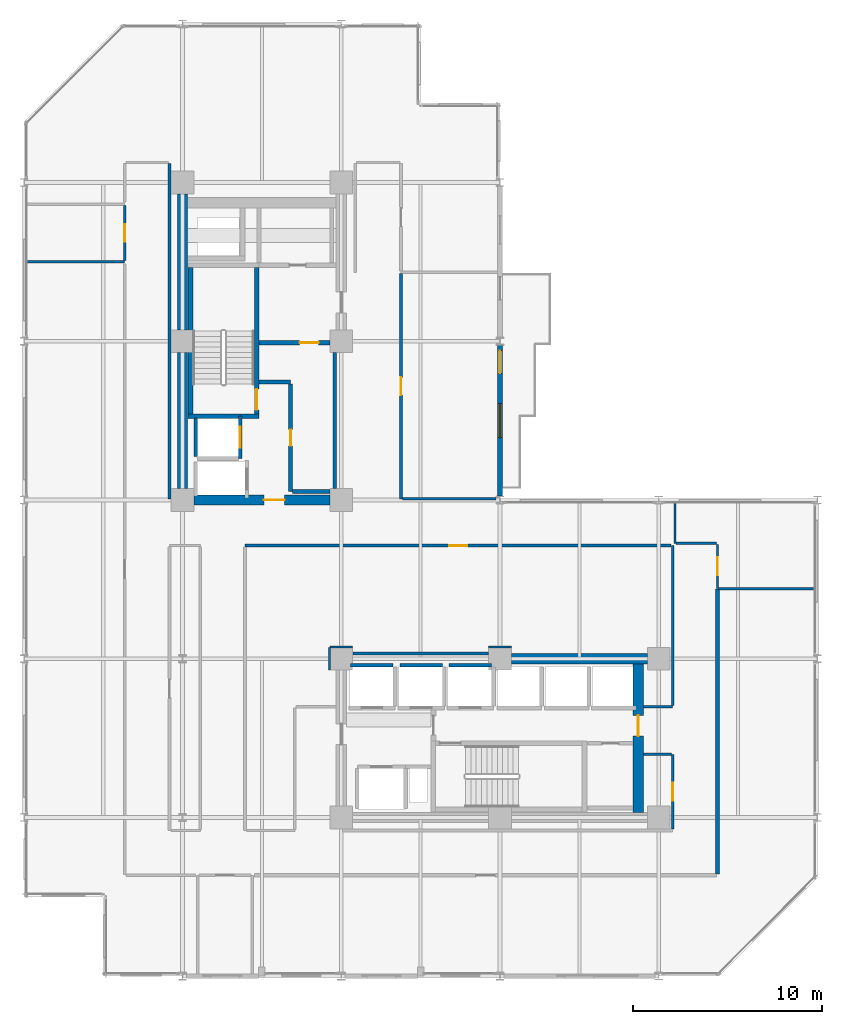
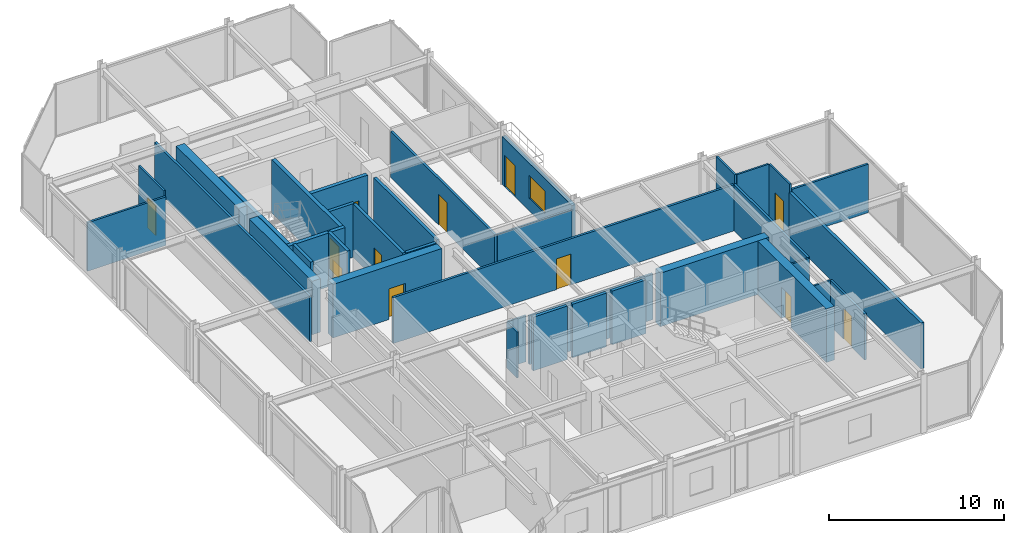
# One storey, part 25 of 29: 38 walls, 12 doors, 1 window, 13 openings.
"""IFC4 building model written with IfcOpenShell, lengths in metres."""

from ifc_helpers import new_model, si_unit, direction, frame, frame_2d, origin, place, context, subcontext, project, spatial, rectangle, extrude, material, layer, layer_set, type_object, element, fill, save


model = new_model("IFC4")

# Units and contexts
model_context = context("Model", 3, precision=1e-05, world=origin(), true_north=direction((0.0, 1.0)))
body_context = subcontext(model_context, "Body", "Model", "MODEL_VIEW")
ifc_project = project(units=[si_unit("LENGTHUNIT", "METRE"), si_unit("AREAUNIT", "SQUARE_METRE"), si_unit("VOLUMEUNIT", "CUBIC_METRE"), si_unit("PLANEANGLEUNIT", "RADIAN"), si_unit("MASSUNIT", "GRAM", prefix="KILO")], contexts=[model_context])

# Site, building, storey
site_placement = place(None, origin())
site = spatial("IfcSite", under=ifc_project, at=site_placement, CompositionType="ELEMENT")
building_placement = place(site_placement, origin())
building = spatial("IfcBuilding", under=site, at=building_placement, Name="Nerrivon Quay Data Exchange", CompositionType="ELEMENT")
storey_placement = place(building_placement, frame((0.0, 0.0, 158.199951171875)))
storey = spatial("IfcBuildingStorey", under=building, at=storey_placement, Name="L37", CompositionType="ELEMENT", Elevation=158.199951171875)

# Wall, openings, door, window
ifc_material_1 = material(Name="Architectural terracotta precast concrete N50 (50 MPa)", Category="masonry")
ifc_layer_1 = layer(ifc_material_1, 0.239990234375)
ifc_layer_set_1 = layer_set([ifc_layer_1], Name="Architectural terracotta precast concrete N50 (50 MPa)")
wall_type_1 = type_object("IfcWallType", Name="EW-PREC-240", PredefinedType="STANDARD", material=ifc_layer_set_1)
wall_1_placement = place(storey_placement, frame((25.199951171875, 33.39990234375, 0.0), z_axis=(0.0, 0.0, 1.0), x_axis=(0.0, -1.0, 0.0)))
wall_1 = element("IfcWall", 1, at=wall_1_placement, inside=storey, type_object=wall_type_1, Name="L37 Terrace Host Wall 25", PredefinedType="STANDARD", context=body_context, shape_type="SweptSolid", body=[
    extrude(rectangle(XDim=8.0, YDim=0.239990234375, at=frame_2d((4.0, 0.0))), origin(), (0.0, 0.0, 1.0), 3.34716796875),
])
opening_1_placement = place(wall_1_placement, frame((0.300048828125, 0.0, 0.0)))
opening_1 = element("IfcOpeningElement", 2, at=opening_1_placement, cuts=wall_1, Name="Opening TD1", PredefinedType="OPENING", context=body_context, shape_type="SweptSolid", body=[
    extrude(rectangle(XDim=1.199951171875, YDim=2.199951171875, at=frame_2d((0.60009765625, 1.10009765625))), frame((0.0, 0.1298828125, 0.0), z_axis=(0.0, -1.0, 0.0), x_axis=(1.0, 0.0, 0.0)), (0.0, 0.0, 1.0), 0.260009765625),
])
opening_2_placement = place(wall_1_placement, frame((3.10009765625, 0.0, 0.89990234375)))
opening_2 = element("IfcOpeningElement", 3, at=opening_2_placement, cuts=wall_1, Name="Opening WN2", PredefinedType="OPENING", context=body_context, shape_type="SweptSolid", body=[
    extrude(rectangle(XDim=1.800048828125, YDim=1.60009765625, at=frame_2d((0.89990234375, 0.800048828125))), frame((0.0, 0.1298828125, 0.0), z_axis=(0.0, -1.0, 0.0), x_axis=(1.0, 0.0, 0.0)), (0.0, 0.0, 1.0), 0.260009765625),
])
ifc_material_2 = material(Name="Double-glazed low-E solar control glass", Category="glass")
door_type_1 = type_object("IfcDoorType", Name="DR-TERR-1200x2200", OperationType="NOTDEFINED", PredefinedType="DOOR", material=ifc_material_2)
door_1_placement = place(opening_1_placement, origin())
door_1 = element("IfcDoor", 4, at=door_1_placement, inside=storey, type_object=door_type_1, Name="L37 Outdoor Terrace Access Door 25", OperationType="SINGLE_SWING_RIGHT", OverallHeight=2.199951171875, OverallWidth=1.199951171875, PredefinedType="DOOR", context=body_context, shape_type="SweptSolid", body=[
    extrude(rectangle(XDim=1.199951171875, YDim=2.199951171875, at=frame_2d((0.60009765625, 1.10009765625))), frame((0.0, 0.02490234375, 0.0), z_axis=(0.0, -1.0, 0.0), x_axis=(1.0, 0.0, 0.0)), (0.0, 0.0, 1.0), 0.050048828125),
])
fill(opening_1, door_1)
window_type = type_object("IfcWindowType", Name="WIN-W2-1800x1600", PartitioningType="SINGLE_PANEL", PredefinedType="WINDOW", material=ifc_material_2)
window_placement = place(opening_2_placement, origin())
window = element("IfcWindow", 5, at=window_placement, inside=storey, type_object=window_type, Name="L37 Terrace Side Window 25", OverallHeight=1.60009765625, OverallWidth=1.800048828125, PartitioningType="SINGLE_PANEL", PredefinedType="WINDOW", context=body_context, shape_type="SweptSolid", body=[
    extrude(rectangle(XDim=1.800048828125, YDim=1.60009765625, at=frame_2d((0.89990234375, 0.800048828125))), frame((0.0, 0.030029296875, 0.0), z_axis=(0.0, -1.0, 0.0), x_axis=(1.0, 0.0, 0.0)), (0.0, 0.0, 1.0), 0.06005859375),
])
fill(opening_2, window)

# Walls
ifc_material_3 = material(Name="Concrete S65 (65 MPa)", Category="concrete")
ifc_layer_2 = layer(ifc_material_3, 0.550048828125)
ifc_layer_set_2 = layer_set([ifc_layer_2], Name="Concrete S65 (65 MPa)")
wall_type_2 = type_object("IfcWallType", Name="WALL-CW-700", PredefinedType="SHEAR", material=ifc_layer_set_2)
for number, where, z_axis, x_axis, name in (
    (6, (8.39990234375, 25.800048828125, 0.0), (0.0, 0.0, 1.0), (0.0, 1.0, 0.0), "L37 West Split-Core Shear Wall WCW-W1"),
    (7, (8.39990234375, 34.199951171875, 0.0), (0.0, 0.0, 1.0), (0.0, 1.0, 0.0), "L37 West Split-Core Shear Wall WCW-W2"),
):
    element("IfcWall", number, at=place(storey_placement, frame(where, z_axis=z_axis, x_axis=x_axis)), inside=storey, type_object=wall_type_2, Name=name, PredefinedType="SHEAR", context=body_context, shape_type="SweptSolid", body=[
        extrude(rectangle(XDim=7.199951171875, YDim=0.550048828125, at=frame_2d((3.60009765625, 0.0))), origin(), (0.0, 0.0, 1.0), 3.75),
    ])

# Wall, opening, door
wall_2_placement = place(storey_placement, frame((9.0, 25.199951171875, 0.0), z_axis=(0.0, 0.0, 1.0), x_axis=(1.0, 0.0, 0.0)))
wall_2 = element("IfcWall", 8, at=wall_2_placement, inside=storey, type_object=wall_type_2, Name="L37 West Split-Core Shear Wall WCW-S1", PredefinedType="SHEAR", context=body_context, shape_type="SweptSolid", body=[
    extrude(rectangle(XDim=7.199951171875, YDim=0.550048828125, at=frame_2d((3.60009765625, 0.0))), origin(), (0.0, 0.0, 1.0), 3.75),
])
opening_3_placement = place(wall_2_placement, frame((3.699951171875, 0.0, 0.0)))
opening_3 = element("IfcOpeningElement", 9, at=opening_3_placement, cuts=wall_2, Name="Opening FD-120", PredefinedType="OPENING", context=body_context, shape_type="SweptSolid", body=[
    extrude(rectangle(XDim=1.10009765625, YDim=2.14990234375, at=frame_2d((0.550048828125, 1.074951171875))), frame((0.0, 0.284912109375, 0.0), z_axis=(0.0, -1.0, 0.0), x_axis=(1.0, 0.0, 0.0)), (0.0, 0.0, 1.0), 0.570068359375),
])
ifc_material_4 = material(Name="Powder-coated galvanized steel sheet", Category="steel")
door_type_2 = type_object("IfcDoorType", Name="DR-FD120-1100", OperationType="NOTDEFINED", PredefinedType="DOOR", material=ifc_material_4)
door_2_placement = place(opening_3_placement, origin())
door_2 = element("IfcDoor", 10, at=door_2_placement, inside=storey, type_object=door_type_2, Name="L37 West Core Lobby Fire Door", OperationType="SINGLE_SWING_RIGHT", OverallHeight=2.14990234375, OverallWidth=1.10009765625, PredefinedType="DOOR", context=body_context, shape_type="SweptSolid", body=[
    extrude(rectangle(XDim=1.10009765625, YDim=2.14990234375, at=frame_2d((0.550048828125, 1.074951171875))), frame((0.0, 0.02490234375, 0.0), z_axis=(0.0, -1.0, 0.0), x_axis=(1.0, 0.0, 0.0)), (0.0, 0.0, 1.0), 0.050048828125),
])
fill(opening_3, door_2)

wall_3_placement = place(storey_placement, frame((32.52490234375, 8.675048828125, 0.0), z_axis=(0.0, 0.0, 1.0), x_axis=(0.0, 1.0, 0.0)))
wall_3 = element("IfcWall", 11, at=wall_3_placement, inside=storey, type_object=wall_type_2, Name="L37 East Split-Core Shear Wall ECW-E1", PredefinedType="SHEAR", context=body_context, shape_type="SweptSolid", body=[
    extrude(rectangle(XDim=7.849853515625, YDim=0.550048828125, at=frame_2d((3.9248046875, 0.0))), origin(), (0.0, 0.0, 1.0), 3.75),
])
opening_4_placement = place(wall_3_placement, frame((4.02490234375, 0.0, 0.0)))
opening_4 = element("IfcOpeningElement", 12, at=opening_4_placement, cuts=wall_3, Name="Opening FD-120", PredefinedType="OPENING", context=body_context, shape_type="SweptSolid", body=[
    extrude(rectangle(XDim=1.10009765625, YDim=2.14990234375, at=frame_2d((0.550048828125, 1.074951171875))), frame((0.0, 0.284912109375, 0.0), z_axis=(0.0, -1.0, 0.0), x_axis=(1.0, 0.0, 0.0)), (0.0, 0.0, 1.0), 0.570068359375),
])
door_3_placement = place(opening_4_placement, origin())
door_3 = element("IfcDoor", 13, at=door_3_placement, inside=storey, type_object=door_type_2, Name="L37 East Core Lobby Fire Door", OperationType="SINGLE_SWING_LEFT", OverallHeight=2.14990234375, OverallWidth=1.10009765625, PredefinedType="DOOR", context=body_context, shape_type="SweptSolid", body=[
    extrude(rectangle(XDim=1.10009765625, YDim=2.14990234375, at=frame_2d((0.550048828125, 1.074951171875))), frame((0.0, 0.02490234375, 0.0), z_axis=(0.0, -1.0, 0.0), x_axis=(1.0, 0.0, 0.0)), (0.0, 0.0, 1.0), 0.050048828125),
])
fill(opening_4, door_3)

# Wall
wall_4_placement = place(storey_placement, frame((25.800048828125, 16.800048828125, 0.0), z_axis=(0.0, 0.0, 1.0), x_axis=(1.0, 0.0, 0.0)))
element("IfcWall", 14, at=wall_4_placement, inside=storey, type_object=wall_type_2, Name="L37 East Split-Core Shear Wall ECW-N1", PredefinedType="SHEAR", context=body_context, shape_type="SweptSolid", body=[
    extrude(rectangle(XDim=7.199951171875, YDim=0.550048828125, at=frame_2d((3.60009765625, 0.0))), origin(), (0.0, 0.0, 1.0), 3.75),
])

# Wall, opening, door
ifc_material_5 = material(Name="Gypsum plasterboard on cold-formed framing", Category="gypsum")
ifc_layer_3 = layer(ifc_material_5, 0.199951171875)
ifc_layer_set_3 = layer_set([ifc_layer_3], Name="Gypsum plasterboard on cold-formed framing")
wall_type_3 = type_object("IfcWallType", Name="WALL-FW-200", PredefinedType="PARTITIONING", material=ifc_layer_set_3)
wall_5_placement = place(storey_placement, frame((11.449951171875, 27.39990234375, 0.0), z_axis=(0.0, 0.0, 1.0), x_axis=(0.0, 1.0, 0.0)))
wall_5 = element("IfcWall", 15, at=wall_5_placement, inside=storey, type_object=wall_type_3, Name="L37 Lift Front Wall FFL-1", PredefinedType="PARTITIONING", context=body_context, shape_type="SweptSolid", body=[
    extrude(rectangle(XDim=2.25, YDim=0.199951171875, at=frame_2d((1.125, 0.0))), origin(), (0.0, 0.0, 1.0), 3.75),
])
opening_5_placement = place(wall_5_placement, frame((0.574951171875, 0.0, 0.0)))
opening_5 = element("IfcOpeningElement", 16, at=opening_5_placement, cuts=wall_5, Name="Opening LD-120", PredefinedType="OPENING", context=body_context, shape_type="SweptSolid", body=[
    extrude(rectangle(XDim=1.10009765625, YDim=2.199951171875, at=frame_2d((0.550048828125, 1.10009765625))), frame((0.0, 0.10986328125, 0.0), z_axis=(0.0, -1.0, 0.0), x_axis=(1.0, 0.0, 0.0)), (0.0, 0.0, 1.0), 0.219970703125),
])
door_type_3 = type_object("IfcDoorType", Name="DR-LIFT-LD120", OperationType="DOUBLE_DOOR_SLIDING", PredefinedType="DOOR", material=ifc_material_4)
door_4_placement = place(opening_5_placement, origin())
door_4 = element("IfcDoor", 17, at=door_4_placement, inside=storey, type_object=door_type_3, Name="L37 Lift Landing Sliding Door FFL-1", OperationType="DOUBLE_DOOR_SLIDING", OverallHeight=2.199951171875, OverallWidth=1.10009765625, PredefinedType="DOOR", context=body_context, shape_type="SweptSolid", body=[
    extrude(rectangle(XDim=1.10009765625, YDim=2.199951171875, at=frame_2d((0.550048828125, 1.10009765625))), frame((0.0, 0.02490234375, 0.0), z_axis=(0.0, -1.0, 0.0), x_axis=(1.0, 0.0, 0.0)), (0.0, 0.0, 1.0), 0.050048828125),
])
fill(opening_5, door_4)

# Walls
wall_6_placement = place(storey_placement, frame((9.10009765625, 27.5, 0.0), z_axis=(0.0, 0.0, 1.0), x_axis=(0.0, 1.0, 0.0)))
element("IfcWall", 18, at=wall_6_placement, inside=storey, type_object=wall_type_3, Name="L37 Lift Shaft Wall FFL-1 WEST", PredefinedType="PARTITIONING", context=body_context, shape_type="SweptSolid", body=[
    extrude(rectangle(XDim=2.050048828125, YDim=0.199951171875, at=frame_2d((1.02490234375, 0.0))), origin(), (0.0, 0.0, 1.0), 3.75),
])
for number, where, z_axis, x_axis, name in (
    (19, (17.300048828125, 16.449951171875, 0.0), (0.0, 0.0, 1.0), (1.0, 0.0, 0.0), "L37 Lift Shaft Wall PL4 NORTH"),
    (20, (19.89990234375, 16.449951171875, 0.0), (0.0, 0.0, 1.0), (1.0, 0.0, 0.0), "L37 Lift Shaft Wall PL5 NORTH"),
    (21, (22.5, 16.449951171875, 0.0), (0.0, 0.0, 1.0), (1.0, 0.0, 0.0), "L37 Lift Shaft Wall PL6 NORTH"),
):
    element("IfcWall", number, at=place(storey_placement, frame(where, z_axis=z_axis, x_axis=x_axis)), inside=storey, type_object=wall_type_3, Name=name, PredefinedType="PARTITIONING", context=body_context, shape_type="SweptSolid", body=[
        extrude(rectangle(XDim=2.25, YDim=0.199951171875, at=frame_2d((1.125, 0.0))), origin(), (0.0, 0.0, 1.0), 3.75),
    ])
wall_7_placement = place(storey_placement, frame((16.449951171875, 25.804931640625, 0.0), z_axis=(0.0, 0.0, 1.0), x_axis=(0.0, 1.0, 0.0)))
element("IfcWall", 22, at=wall_7_placement, inside=storey, type_object=wall_type_3, Name="L37 Partition Telemetry Hub Closet", PredefinedType="PARTITIONING", context=body_context, shape_type="SweptSolid", body=[
    extrude(rectangle(XDim=7.190185546875, YDim=0.199951171875, at=frame_2d((3.59521484375, 0.0))), origin(), (0.0, 0.0, 1.0), 3.75),
])
wall_8_placement = place(storey_placement, frame((12.4541015625, 31.43994140625, 0.0), z_axis=(0.0, 0.0, 1.0), x_axis=(1.0, 0.0, 0.0)))
element("IfcWall", 23, at=wall_8_placement, inside=storey, type_object=wall_type_3, Name="L37 Partition Telemetry Hub Closet", PredefinedType="PARTITIONING", context=body_context, shape_type="SweptSolid", body=[
    extrude(rectangle(XDim=1.666015625, YDim=0.199951171875, at=frame_2d((0.8330078125, 0.0))), origin(), (0.0, 0.0, 1.0), 3.75),
])

# Wall, opening, door
wall_9_placement = place(storey_placement, frame((14.1201171875, 31.3359375, 0.0), z_axis=(0.0, 0.0, 1.0), x_axis=(0.0, -1.0, 0.0)))
wall_9 = element("IfcWall", 24, at=wall_9_placement, inside=storey, type_object=wall_type_3, Name="L37 Partition Telemetry Hub Closet", PredefinedType="PARTITIONING", context=body_context, shape_type="SweptSolid", body=[
    extrude(rectangle(XDim=5.68603515625, YDim=0.199951171875, at=frame_2d((2.843017578125, 0.0))), origin(), (0.0, 0.0, 1.0), 3.75),
])
opening_6_placement = place(wall_9_placement, frame((2.41796875, 0.0, 0.0)))
opening_6 = element("IfcOpeningElement", 25, at=opening_6_placement, cuts=wall_9, Name="Opening FD-60S", PredefinedType="OPENING", context=body_context, shape_type="SweptSolid", body=[
    extrude(rectangle(XDim=0.85009765625, YDim=2.14990234375, at=frame_2d((0.425048828125, 1.074951171875))), frame((0.0, 0.10986328125, 0.0), z_axis=(0.0, -1.0, 0.0), x_axis=(1.0, 0.0, 0.0)), (0.0, 0.0, 1.0), 0.219970703125),
])
ifc_material_6 = material(Name="Engineered hardwood timber", Category="wood")
door_type_4 = type_object("IfcDoorType", Name="DR-FD60-850", OperationType="NOTDEFINED", PredefinedType="DOOR", material=ifc_material_6)
door_5_placement = place(opening_6_placement, origin())
door_5 = element("IfcDoor", 26, at=door_5_placement, inside=storey, type_object=door_type_4, Name="L37 Door Telemetry Hub Closet", OperationType="SINGLE_SWING_LEFT", OverallHeight=2.14990234375, OverallWidth=0.85009765625, PredefinedType="DOOR", context=body_context, shape_type="SweptSolid", body=[
    extrude(rectangle(XDim=0.85009765625, YDim=2.14990234375, at=frame_2d((0.425048828125, 1.074951171875))), frame((0.0, 0.02490234375, 0.0), z_axis=(0.0, -1.0, 0.0), x_axis=(1.0, 0.0, 0.0)), (0.0, 0.0, 1.0), 0.050048828125),
])
fill(opening_6, door_5)

# Walls
wall_10_placement = place(storey_placement, frame((14.22412109375, 25.64990234375, 0.0), z_axis=(0.0, 0.0, 1.0), x_axis=(1.0, 0.0, 0.0)))
element("IfcWall", 27, at=wall_10_placement, inside=storey, type_object=wall_type_3, Name="L37 Partition Telemetry Hub Closet", PredefinedType="PARTITIONING", context=body_context, shape_type="SweptSolid", body=[
    extrude(rectangle(XDim=1.970947265625, YDim=0.199951171875, at=frame_2d((0.9853515625, 0.0))), origin(), (0.0, 0.0, 1.0), 3.75),
])
wall_11_placement = place(storey_placement, frame((36.7099609375, 20.49462890625, 0.0), z_axis=(0.0, 0.0, 1.0), x_axis=(0.0, -1.0, 0.0)))
element("IfcWall", 28, at=wall_11_placement, inside=storey, type_object=wall_type_3, Name="L37 Partition Colocation Data Workspace 1", PredefinedType="PARTITIONING", context=body_context, shape_type="SweptSolid", body=[
    extrude(rectangle(XDim=15.0947265625, YDim=0.199951171875, at=frame_2d((7.54736328125, 0.0))), origin(), (0.0, 0.0, 1.0), 3.217041015625),
])

# Wall, opening, door
ifc_layer_4 = layer(ifc_material_5, 0.1201171875)
ifc_layer_set_4 = layer_set([ifc_layer_4], Name="Gypsum plasterboard on cold-formed framing")
wall_type_4 = type_object("IfcWallType", Name="WALL-PT-120", PredefinedType="PARTITIONING", material=ifc_layer_set_4)
wall_12_placement = place(storey_placement, frame((5.340087890625, 37.87158203125, 0.0), z_axis=(0.0, 0.0, 1.0), x_axis=(0.0, 1.0, 0.0)))
wall_12 = element("IfcWall", 29, at=wall_12_placement, inside=storey, type_object=wall_type_4, Name="L37 Partition Accessible Toilet", PredefinedType="PARTITIONING", context=body_context, shape_type="SweptSolid", body=[
    extrude(rectangle(XDim=2.906982421875, YDim=0.1201171875, at=frame_2d((1.45361328125, 0.0))), origin(), (0.0, 0.0, 1.0), 3.75),
])
opening_7_placement = place(wall_12_placement, frame((0.993408203125, 0.0, 0.0)))
opening_7 = element("IfcOpeningElement", 30, at=opening_7_placement, cuts=wall_12, Name="Opening D-WC", PredefinedType="OPENING", context=body_context, shape_type="SweptSolid", body=[
    extrude(rectangle(XDim=0.919921875, YDim=2.10009765625, at=frame_2d((0.4599609375, 1.050048828125))), frame((0.0, 0.070068359375, 0.0), z_axis=(0.0, -1.0, 0.0), x_axis=(1.0, 0.0, 0.0)), (0.0, 0.0, 1.0), 0.14013671875),
])
door_type_5 = type_object("IfcDoorType", Name="DR-WC-920", OperationType="NOTDEFINED", PredefinedType="DOOR", material=ifc_material_6)
door_6_placement = place(opening_7_placement, origin())
door_6 = element("IfcDoor", 31, at=door_6_placement, inside=storey, type_object=door_type_5, Name="L37 Door Accessible Toilet", OperationType="SINGLE_SWING_RIGHT", OverallHeight=2.10009765625, OverallWidth=0.919921875, PredefinedType="DOOR", context=body_context, shape_type="SweptSolid", body=[
    extrude(rectangle(XDim=0.919921875, YDim=2.10009765625, at=frame_2d((0.4599609375, 1.050048828125))), frame((0.0, 0.02490234375, 0.0), z_axis=(0.0, -1.0, 0.0), x_axis=(1.0, 0.0, 0.0)), (0.0, 0.0, 1.0), 0.050048828125),
])
fill(opening_7, door_6)

# Wall
wall_13_placement = place(storey_placement, frame((34.2685546875, 11.739990234375, 0.0), z_axis=(0.0, 0.0, 1.0), x_axis=(-1.0, 0.0, 0.0)))
element("IfcWall", 32, at=wall_13_placement, inside=storey, type_object=wall_type_4, Name="L37 Partition Staff Pantry", PredefinedType="PARTITIONING", context=body_context, shape_type="SweptSolid", body=[
    extrude(rectangle(XDim=1.464599609375, YDim=0.1201171875, at=frame_2d((0.732421875, 0.0))), origin(), (0.0, 0.0, 1.0), 3.22216796875),
])

# Wall, opening, door
wall_14_placement = place(storey_placement, frame((36.7099609375, 22.85009765625, 0.0), z_axis=(0.0, 0.0, 1.0), x_axis=(0.0, -1.0, 0.0)))
wall_14 = element("IfcWall", 33, at=wall_14_placement, inside=storey, type_object=wall_type_4, Name="L37 Partition Executive Boardroom", PredefinedType="PARTITIONING", context=body_context, shape_type="SweptSolid", body=[
    extrude(rectangle(XDim=2.33544921875, YDim=0.1201171875, at=frame_2d((1.167724609375, 0.0))), origin(), (0.0, 0.0, 1.0), 3.75),
])
opening_8_placement = place(wall_14_placement, frame((0.692626953125, 0.0, 0.0)))
opening_8 = element("IfcOpeningElement", 34, at=opening_8_placement, cuts=wall_14, Name="Opening D-01", PredefinedType="OPENING", context=body_context, shape_type="SweptSolid", body=[
    extrude(rectangle(XDim=0.949951171875, YDim=2.14990234375, at=frame_2d((0.47509765625, 1.074951171875))), frame((0.0, 0.070068359375, 0.0), z_axis=(0.0, -1.0, 0.0), x_axis=(1.0, 0.0, 0.0)), (0.0, 0.0, 1.0), 0.14013671875),
])
door_type_6 = type_object("IfcDoorType", Name="DR-INT-950", OperationType="NOTDEFINED", PredefinedType="DOOR", material=ifc_material_6)
door_7_placement = place(opening_8_placement, origin())
door_7 = element("IfcDoor", 35, at=door_7_placement, inside=storey, type_object=door_type_6, Name="L37 Door Executive Boardroom", OperationType="SINGLE_SWING_RIGHT", OverallHeight=2.14990234375, OverallWidth=0.949951171875, PredefinedType="DOOR", context=body_context, shape_type="SweptSolid", body=[
    extrude(rectangle(XDim=0.949951171875, YDim=2.14990234375, at=frame_2d((0.47509765625, 1.074951171875))), frame((0.0, 0.02490234375, 0.0), z_axis=(0.0, -1.0, 0.0), x_axis=(1.0, 0.0, 0.0)), (0.0, 0.0, 1.0), 0.050048828125),
])
fill(opening_8, door_7)

# Walls
wall_15_placement = place(storey_placement, frame((34.4599609375, 25.031005859375, 0.0), z_axis=(0.0, 0.0, 1.0), x_axis=(0.0, -1.0, 0.0)))
element("IfcWall", 36, at=wall_15_placement, inside=storey, type_object=wall_type_4, Name="L37 Partition Executive Boardroom", PredefinedType="PARTITIONING", context=body_context, shape_type="SweptSolid", body=[
    extrude(rectangle(XDim=2.12109375, YDim=0.1201171875, at=frame_2d((1.060546875, 0.0))), origin(), (0.0, 0.0, 1.0), 3.75),
])
wall_16_placement = place(storey_placement, frame((34.52392578125, 22.909912109375, 0.0), z_axis=(0.0, 0.0, 1.0), x_axis=(1.0, 0.0, 0.0)))
element("IfcWall", 37, at=wall_16_placement, inside=storey, type_object=wall_type_4, Name="L37 Partition Executive Boardroom", PredefinedType="PARTITIONING", context=body_context, shape_type="SweptSolid", body=[
    extrude(rectangle(XDim=2.1259765625, YDim=0.1201171875, at=frame_2d((1.06298828125, 0.0))), origin(), (0.0, 0.0, 1.0), 3.75),
])
wall_17_placement = place(storey_placement, frame((16.180908203125, 16.194091796875, 0.0), z_axis=(0.0, 0.0, 1.0), x_axis=(-0.000809880277, 0.999999672047, 0.0)))
element("IfcWall", 38, at=wall_17_placement, inside=storey, type_object=wall_type_4, Name="L37 Partition Peering Huddle Meeting Room", PredefinedType="PARTITIONING", context=body_context, shape_type="SweptSolid", body=[
    extrude(rectangle(XDim=1.205810546875, YDim=0.1201171875, at=frame_2d((0.60302734375, 0.0))), origin(), (0.0, 0.0, 1.0), 3.217041015625),
])
for number, where, z_axis, x_axis, name in (
    (39, (16.199951171875, 17.419921875, 0.0), (0.0, 0.0, 1.0), (0.999999815526, -0.000607410295, 0.0), "L37 Partition Peering Huddle Meeting Room"),
    (40, (24.59423828125, 17.419189453125, 0.0), (0.0, 0.0, 1.0), (0.999999815526, 0.000607410295, 0.0), "L37 Partition Peering Huddle Meeting Room"),
):
    element("IfcWall", number, at=place(storey_placement, frame(where, z_axis=z_axis, x_axis=x_axis)), inside=storey, type_object=wall_type_4, Name=name, PredefinedType="PARTITIONING", context=body_context, shape_type="SweptSolid", body=[
        extrude(rectangle(XDim=1.205810546875, YDim=0.1201171875, at=frame_2d((0.60302734375, 0.0))), origin(), (0.0, 0.0, 1.0), 3.22216796875),
    ])
wall_18_placement = place(storey_placement, frame((32.803955078125, 14.260009765625, 0.0), z_axis=(0.0, 0.0, 1.0), x_axis=(1.0, 0.0, 0.0)))
element("IfcWall", 41, at=wall_18_placement, inside=storey, type_object=wall_type_4, Name="L37 Partition Peering Huddle Meeting Room", PredefinedType="PARTITIONING", context=body_context, shape_type="SweptSolid", body=[
    extrude(rectangle(XDim=1.5361328125, YDim=0.1201171875, at=frame_2d((0.76806640625, 0.0))), origin(), (0.0, 0.0, 1.0), 3.22216796875),
])
ifc_layer_5 = layer(ifc_material_5, 0.135009765625)
ifc_layer_set_5 = layer_set([ifc_layer_5], Name="Gypsum plasterboard on cold-formed framing")
wall_type_5 = type_object("IfcWallType", Name="WALL-PT-135", PredefinedType="PARTITIONING", material=ifc_layer_set_5)
wall_19_placement = place(storey_placement, frame((0.1689453125, 37.800048828125, 0.0), z_axis=(0.0, 0.0, 1.0), x_axis=(1.0, 0.0, 0.0)))
element("IfcWall", 42, at=wall_19_placement, inside=storey, type_object=wall_type_5, Name="L37 Partition Accessible Toilet", PredefinedType="PARTITIONING", context=body_context, shape_type="SweptSolid", body=[
    extrude(rectangle(XDim=5.171142578125, YDim=0.135009765625, at=frame_2d((2.58544921875, 0.0))), origin(), (0.0, 0.0, 1.0), 3.39404296875),
])

# Wall, opening, door
wall_20_placement = place(storey_placement, frame((34.340087890625, 7.7890625, 0.0), z_axis=(0.0, 0.0, 1.0), x_axis=(0.0, 1.0, 0.0)))
wall_20 = element("IfcWall", 43, at=wall_20_placement, inside=storey, type_object=wall_type_5, Name="L37 Partition Staff Pantry", PredefinedType="PARTITIONING", context=body_context, shape_type="SweptSolid", body=[
    extrude(rectangle(XDim=3.950927734375, YDim=0.135009765625, at=frame_2d((1.9755859375, 0.0))), origin(), (0.0, 0.0, 1.0), 3.217041015625),
])
opening_9_placement = place(wall_20_placement, frame((1.50048828125, 0.0, 0.0)))
opening_9 = element("IfcOpeningElement", 44, at=opening_9_placement, cuts=wall_20, Name="Opening D-01", PredefinedType="OPENING", context=body_context, shape_type="SweptSolid", body=[
    extrude(rectangle(XDim=0.949951171875, YDim=2.14990234375, at=frame_2d((0.47509765625, 1.074951171875))), frame((0.0, 0.077392578125, 0.0), z_axis=(0.0, -1.0, 0.0), x_axis=(1.0, 0.0, 0.0)), (0.0, 0.0, 1.0), 0.155029296875),
])
door_8_placement = place(opening_9_placement, origin())
door_8 = element("IfcDoor", 45, at=door_8_placement, inside=storey, type_object=door_type_6, Name="L37 Door Staff Pantry", OperationType="SINGLE_SWING_RIGHT", OverallHeight=2.14990234375, OverallWidth=0.949951171875, PredefinedType="DOOR", context=body_context, shape_type="SweptSolid", body=[
    extrude(rectangle(XDim=0.949951171875, YDim=2.14990234375, at=frame_2d((0.47509765625, 1.074951171875))), frame((0.0, 0.02490234375, 0.0), z_axis=(0.0, -1.0, 0.0), x_axis=(1.0, 0.0, 0.0)), (0.0, 0.0, 1.0), 0.050048828125),
])
fill(opening_9, door_8)

# Walls
wall_21_placement = place(storey_placement, frame((36.77392578125, 20.5146484375, 0.0), z_axis=(0.0, 0.0, 1.0), x_axis=(1.0, 0.0, 0.0)))
element("IfcWall", 46, at=wall_21_placement, inside=storey, type_object=wall_type_5, Name="L37 Partition Executive Boardroom", PredefinedType="PARTITIONING", context=body_context, shape_type="SweptSolid", body=[
    extrude(rectangle(XDim=5.05712890625, YDim=0.135009765625, at=frame_2d((2.528564453125, 0.0))), origin(), (0.0, 0.0, 1.0), 3.39404296875),
])
wall_22_placement = place(storey_placement, frame((20.0390625, 25.260009765625, 0.0), z_axis=(0.0, 0.0, 1.0), x_axis=(1.0, 0.0, 0.0)))
element("IfcWall", 47, at=wall_22_placement, inside=storey, type_object=wall_type_5, Name="L37 Partition Executive Boardroom", PredefinedType="PARTITIONING", context=body_context, shape_type="SweptSolid", body=[
    extrude(rectangle(XDim=4.94091796875, YDim=0.135009765625, at=frame_2d((2.470458984375, 0.0))), origin(), (0.0, 0.0, 1.0), 3.217041015625),
])

# Wall, opening, door
ifc_layer_6 = layer(ifc_material_5, 0.14990234375)
ifc_layer_set_6 = layer_set([ifc_layer_6], Name="Gypsum plasterboard on cold-formed framing")
wall_type_6 = type_object("IfcWallType", Name="WALL-PT-150", PredefinedType="PARTITIONING", material=ifc_layer_set_6)
wall_23_placement = place(storey_placement, frame((19.9599609375, 37.176513671875, 0.0), z_axis=(0.0, 0.0, 1.0), x_axis=(0.0, -1.0, 0.0)))
wall_23 = element("IfcWall", 48, at=wall_23_placement, inside=storey, type_object=wall_type_6, Name="L37 Partition Executive Boardroom", PredefinedType="PARTITIONING", context=body_context, shape_type="SweptSolid", body=[
    extrude(rectangle(XDim=11.91650390625, YDim=0.14990234375, at=frame_2d((5.958251953125, 0.0))), origin(), (0.0, 0.0, 1.0), 3.217041015625),
])
opening_10_placement = place(wall_23_placement, frame((5.483154296875, 0.0, 0.0)))
opening_10 = element("IfcOpeningElement", 49, at=opening_10_placement, cuts=wall_23, Name="Opening D-01", PredefinedType="OPENING", context=body_context, shape_type="SweptSolid", body=[
    extrude(rectangle(XDim=0.949951171875, YDim=2.14990234375, at=frame_2d((0.47509765625, 1.074951171875))), frame((0.0, 0.0849609375, 0.0), z_axis=(0.0, -1.0, 0.0), x_axis=(1.0, 0.0, 0.0)), (0.0, 0.0, 1.0), 0.169921875),
])
door_9_placement = place(opening_10_placement, origin())
door_9 = element("IfcDoor", 50, at=door_9_placement, inside=storey, type_object=door_type_6, Name="L37 Door Executive Boardroom", OperationType="SINGLE_SWING_LEFT", OverallHeight=2.14990234375, OverallWidth=0.949951171875, PredefinedType="DOOR", context=body_context, shape_type="SweptSolid", body=[
    extrude(rectangle(XDim=0.949951171875, YDim=2.14990234375, at=frame_2d((0.47509765625, 1.074951171875))), frame((0.0, 0.02490234375, 0.0), z_axis=(0.0, -1.0, 0.0), x_axis=(1.0, 0.0, 0.0)), (0.0, 0.0, 1.0), 0.050048828125),
])
fill(opening_10, door_9)

# Walls
wall_24_placement = place(storey_placement, frame((17.419921875, 17.074951171875, 0.0), z_axis=(0.0, 0.0, 1.0), x_axis=(1.0, 0.0, 0.0)))
element("IfcWall", 51, at=wall_24_placement, inside=storey, type_object=wall_type_6, Name="L37 Partition Peering Huddle Meeting Room", PredefinedType="PARTITIONING", context=body_context, shape_type="SweptSolid", body=[
    extrude(rectangle(XDim=7.16015625, YDim=0.14990234375, at=frame_2d((3.580078125, 0.0))), origin(), (0.0, 0.0, 1.0), 3.39404296875),
])
wall_25_placement = place(storey_placement, frame((34.340087890625, 14.323974609375, 0.0), z_axis=(0.0, 0.0, 1.0), x_axis=(0.0, 1.0, 0.0)))
element("IfcWall", 52, at=wall_25_placement, inside=storey, type_object=wall_type_6, Name="L37 Partition Peering Huddle Meeting Room", PredefinedType="PARTITIONING", context=body_context, shape_type="SweptSolid", body=[
    extrude(rectangle(XDim=8.466064453125, YDim=0.14990234375, at=frame_2d((4.23291015625, 0.0))), origin(), (0.0, 0.0, 1.0), 3.217041015625),
])

# Wall, opening, door
wall_26_placement = place(storey_placement, frame((34.260986328125, 22.7900390625, 0.0), z_axis=(0.0, 0.0, 1.0), x_axis=(-1.0, 0.0, 0.0)))
wall_26 = element("IfcWall", 53, at=wall_26_placement, inside=storey, type_object=wall_type_6, Name="L37 Partition Peering Huddle Meeting Room", PredefinedType="PARTITIONING", context=body_context, shape_type="SweptSolid", body=[
    extrude(rectangle(XDim=22.551025390625, YDim=0.14990234375, at=frame_2d((11.275390625, 0.0))), origin(), (0.0, 0.0, 1.0), 3.22216796875),
])
opening_11_placement = place(wall_26_placement, frame((10.800537109375, 0.0, 0.0)))
opening_11 = element("IfcOpeningElement", 54, at=opening_11_placement, cuts=wall_26, Name="Opening D-01", PredefinedType="OPENING", context=body_context, shape_type="SweptSolid", body=[
    extrude(rectangle(XDim=0.949951171875, YDim=2.14990234375, at=frame_2d((0.47509765625, 1.074951171875))), frame((0.0, 0.0849609375, 0.0), z_axis=(0.0, -1.0, 0.0), x_axis=(1.0, 0.0, 0.0)), (0.0, 0.0, 1.0), 0.169921875),
])
door_10_placement = place(opening_11_placement, origin())
door_10 = element("IfcDoor", 55, at=door_10_placement, inside=storey, type_object=door_type_6, Name="L37 Door Peering Huddle Meeting Room", OperationType="SINGLE_SWING_RIGHT", OverallHeight=2.14990234375, OverallWidth=0.949951171875, PredefinedType="DOOR", context=body_context, shape_type="SweptSolid", body=[
    extrude(rectangle(XDim=0.949951171875, YDim=2.14990234375, at=frame_2d((0.47509765625, 1.074951171875))), frame((0.0, 0.02490234375, 0.0), z_axis=(0.0, -1.0, 0.0), x_axis=(1.0, 0.0, 0.0)), (0.0, 0.0, 1.0), 0.050048828125),
])
fill(opening_11, door_10)

# Walls
wall_27_placement = place(storey_placement, frame((7.7099609375, 43.0, 0.0), z_axis=(0.0, 0.0, 1.0), x_axis=(0.0, -1.0, 0.0)))
element("IfcWall", 56, at=wall_27_placement, inside=storey, type_object=wall_type_6, Name="L37 Partition Technical Seminar Room", PredefinedType="PARTITIONING", context=body_context, shape_type="SweptSolid", body=[
    extrude(rectangle(XDim=17.739990234375, YDim=0.14990234375, at=frame_2d((8.8701171875, 0.0))), origin(), (0.0, 0.0, 1.0), 3.217041015625),
])
ifc_material_7 = material(Name="Concrete N50 (50 MPa)", Category="concrete")
ifc_layer_7 = layer(ifc_material_7, 0.25)
ifc_layer_set_7 = layer_set([ifc_layer_7], Name="Concrete N50 (50 MPa)")
wall_type_7 = type_object("IfcWallType", Name="WALL-SW-250", PredefinedType="SHEAR", material=ifc_layer_set_7)
wall_28_placement = place(storey_placement, frame((12.449951171875, 29.625, 0.0), z_axis=(0.0, 0.0, 1.0), x_axis=(-1.0, 0.0, 0.0)))
element("IfcWall", 57, at=wall_28_placement, inside=storey, type_object=wall_type_7, Name="L37 ST01 Structural Stair Core Wall NEAR", PredefinedType="SHEAR", context=body_context, shape_type="SweptSolid", body=[
    extrude(rectangle(XDim=3.75, YDim=0.25, at=frame_2d((1.875, 0.0))), origin(), (0.0, 0.0, 1.0), 3.75),
])

# Wall, opening, door
wall_29_placement = place(storey_placement, frame((12.324951171875, 29.75, 0.0), z_axis=(0.0, 0.0, 1.0), x_axis=(0.0, 1.0, 0.0)))
wall_29 = element("IfcWall", 58, at=wall_29_placement, inside=storey, type_object=wall_type_7, Name="L37 ST01 Structural Stair Core Wall LEFT", PredefinedType="SHEAR", context=body_context, shape_type="SweptSolid", body=[
    extrude(rectangle(XDim=7.75, YDim=0.25, at=frame_2d((3.875, 0.0))), origin(), (0.0, 0.0, 1.0), 3.75),
])
opening_12_placement = place(wall_29_placement, frame((0.219970703125, 0.0, 0.0)))
opening_12 = element("IfcOpeningElement", 59, at=opening_12_placement, cuts=wall_29, Name="Opening FD-120", PredefinedType="OPENING", context=body_context, shape_type="SweptSolid", body=[
    extrude(rectangle(XDim=1.10009765625, YDim=2.14990234375, at=frame_2d((0.550048828125, 1.074951171875))), frame((0.0, 0.135009765625, 0.0), z_axis=(0.0, -1.0, 0.0), x_axis=(1.0, 0.0, 0.0)), (0.0, 0.0, 1.0), 0.27001953125),
])
door_11_placement = place(opening_12_placement, origin())
door_11 = element("IfcDoor", 60, at=door_11_placement, inside=storey, type_object=door_type_2, Name="L37 Protected Stair Door ST01", OperationType="SINGLE_SWING_LEFT", OverallHeight=2.14990234375, OverallWidth=1.10009765625, PredefinedType="DOOR", context=body_context, shape_type="SweptSolid", body=[
    extrude(rectangle(XDim=1.10009765625, YDim=2.14990234375, at=frame_2d((0.550048828125, 1.074951171875))), frame((0.0, 0.02490234375, 0.0), z_axis=(0.0, -1.0, 0.0), x_axis=(1.0, 0.0, 0.0)), (0.0, 0.0, 1.0), 0.050048828125),
])
fill(opening_12, door_11)

# Wall
wall_30_placement = place(storey_placement, frame((8.824951171875, 29.75, 0.0), z_axis=(0.0, 0.0, 1.0), x_axis=(0.0, 1.0, 0.0)))
element("IfcWall", 61, at=wall_30_placement, inside=storey, type_object=wall_type_7, Name="L37 ST01 Structural Stair Core Wall RIGHT", PredefinedType="SHEAR", context=body_context, shape_type="SweptSolid", body=[
    extrude(rectangle(XDim=7.75, YDim=0.25, at=frame_2d((3.875, 0.0))), origin(), (0.0, 0.0, 1.0), 3.75),
])

# Wall, opening, door
wall_31_placement = place(storey_placement, frame((12.449951171875, 33.52001953125, 0.0), z_axis=(0.0, 0.0, 1.0), x_axis=(1.0, 0.0, 0.0)))
wall_31 = element("IfcWall", 62, at=wall_31_placement, inside=storey, type_object=wall_type_7, Name="L37 West Lobby Smoke-Stop Wall", PredefinedType="SHEAR", context=body_context, shape_type="SweptSolid", body=[
    extrude(rectangle(XDim=3.75, YDim=0.25, at=frame_2d((1.875, 0.0))), origin(), (0.0, 0.0, 1.0), 3.75),
])
opening_13_placement = place(wall_31_placement, frame((2.14990234375, 0.0, 0.0)))
opening_13 = element("IfcOpeningElement", 63, at=opening_13_placement, cuts=wall_31, Name="Opening FD-60", PredefinedType="OPENING", context=body_context, shape_type="SweptSolid", body=[
    extrude(rectangle(XDim=1.0, YDim=2.14990234375, at=frame_2d((0.5, 1.074951171875))), frame((0.0, 0.135009765625, 0.0), z_axis=(0.0, -1.0, 0.0), x_axis=(1.0, 0.0, 0.0)), (0.0, 0.0, 1.0), 0.27001953125),
])
door_type_7 = type_object("IfcDoorType", Name="DR-FD60-1000", OperationType="NOTDEFINED", PredefinedType="DOOR", material=ifc_material_6)
door_12_placement = place(opening_13_placement, origin())
door_12 = element("IfcDoor", 64, at=door_12_placement, inside=storey, type_object=door_type_7, Name="L37 West Firefighting Lobby Fire Door", OperationType="SINGLE_SWING_LEFT", OverallHeight=2.14990234375, OverallWidth=1.0, PredefinedType="DOOR", context=body_context, shape_type="SweptSolid", body=[
    extrude(rectangle(XDim=1.0, YDim=2.14990234375, at=frame_2d((0.5, 1.074951171875))), frame((0.0, 0.02490234375, 0.0), z_axis=(0.0, -1.0, 0.0), x_axis=(1.0, 0.0, 0.0)), (0.0, 0.0, 1.0), 0.050048828125),
])
fill(opening_13, door_12)

save(model, "model.ifc")
